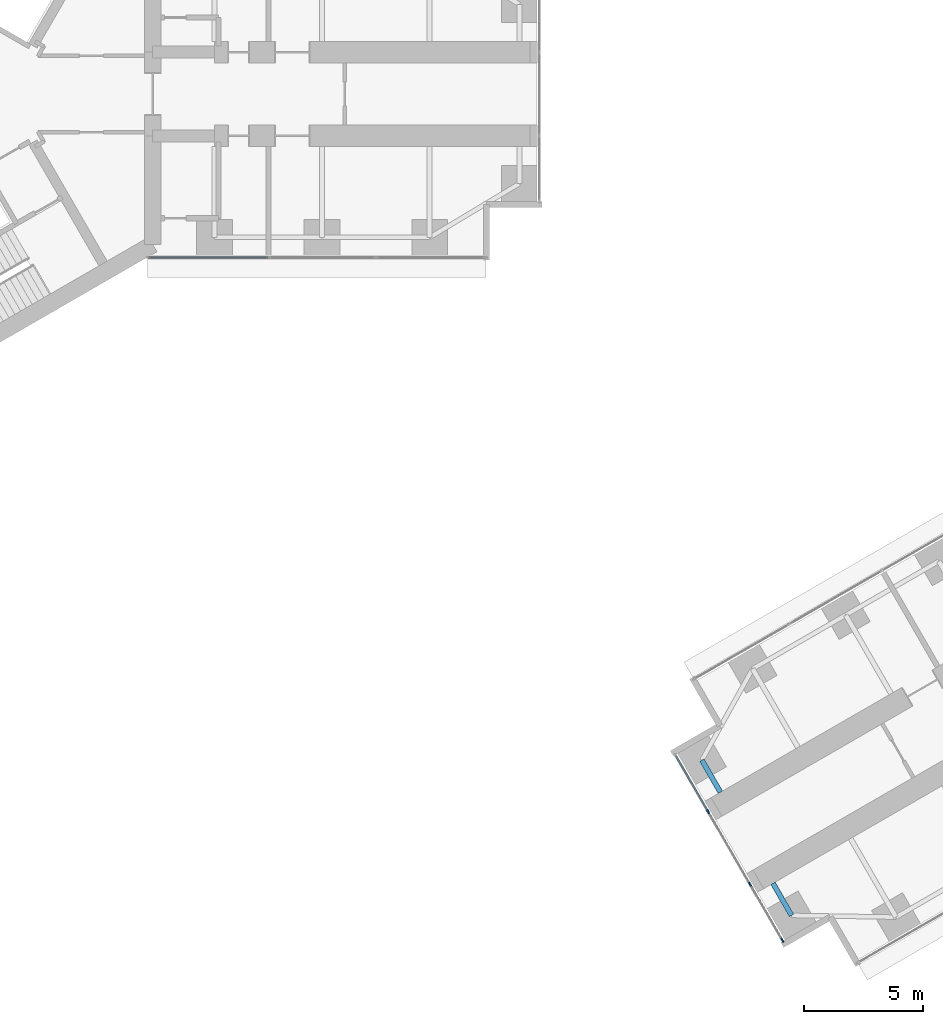
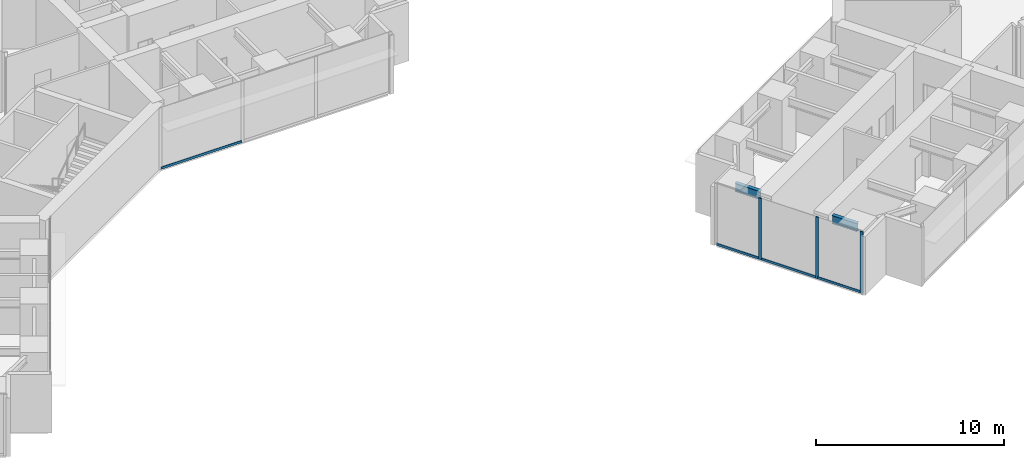
# One storey, part 3 of 23: 7 members, 2 beams, 2 elements without a shape of their own.
"""IFC4 building model written with IfcOpenShell, lengths in metres."""

from ifc_helpers import new_model, si_unit, direction, frame, origin, origin_2d, place, context, subcontext, project, spatial, rectangle, i_section, extrude, material, material_profile, profile_set, type_object, element, aggregate, save


model = new_model("IFC4")

# Units and contexts
model_context = context("Model", 3, precision=1e-05, world=origin(), true_north=direction((0.0, 1.0)))
body_context = subcontext(model_context, "Body", "Model", "MODEL_VIEW")
ifc_project = project(units=[si_unit("LENGTHUNIT", "METRE"), si_unit("AREAUNIT", "SQUARE_METRE"), si_unit("VOLUMEUNIT", "CUBIC_METRE"), si_unit("PLANEANGLEUNIT", "RADIAN"), si_unit("MASSUNIT", "GRAM", prefix="KILO")], contexts=[model_context])

# Site, building, storey
site_placement = place(None, origin())
site = spatial("IfcSite", under=ifc_project, at=site_placement, CompositionType="ELEMENT")
building_placement = place(site_placement, origin())
building = spatial("IfcBuilding", under=site, at=building_placement, Name="Upepo Twin Towers", CompositionType="ELEMENT")
storey_placement = place(building_placement, frame((0.0, 0.0, 28.5)))
storey = spatial("IfcBuildingStorey", under=building, at=storey_placement, Name="L06", CompositionType="ELEMENT", Elevation=28.5)

# Beams
ifc_material_1 = material(Name="Steel S355", Category="steel")
ifc_material_profile_1 = material_profile(ifc_material_1, i_section(OverallWidth=0.2099609375, OverallDepth=0.53662109375, WebThickness=0.0107421875, FlangeThickness=0.017333984375, FilletRadius=0.0126953125, at=origin_2d()), Name="UB 533x210x101")
ifc_profile_set_1 = profile_set([ifc_material_profile_1], Name="Steel S355")
beam_type = type_object("IfcBeamType", Name="Beam UB 533x210x101", PredefinedType="BEAM", material=ifc_profile_set_1)
for number, where, z_axis, x_axis, name in (
    (1, (37.641845703125, -34.37255859375, 3.53173828125), (-0.499967891604, 0.866043940782, 0.0), (-0.866043940782, -0.499967891604, 0.0), "T2 nose beam BL"),
    (2, (33.891845703125, -27.87744140625, 3.53173828125), (0.499967891604, -0.866043940782, 0.0), (0.866043940782, 0.499967891604, 0.0), "T2 nose beam BR"),
):
    element("IfcBeam", number, at=place(storey_placement, frame(where, z_axis=z_axis, x_axis=x_axis)), inside=storey, type_object=beam_type, Name=name, PredefinedType="BEAM", context=body_context, shape_type="SweptSolid", body=[
        extrude(i_section(OverallWidth=0.2099609375, OverallDepth=0.53662109375, WebThickness=0.0107421875, FlangeThickness=0.017333984375, FilletRadius=0.0126953125, at=origin_2d()), origin(), (0.0, 0.0, 1.0), 1.5498046875),
    ])

# Curtain wall, members
ifc_material_2 = material(Name="Aluminium and fritted glass", Category="aluminium")
curtain_wall_type = type_object("IfcCurtainWallType", Name="Tower curtain wall TW1, fritted glass", PredefinedType="NOTDEFINED", material=ifc_material_2)
curtain_wall_1_placement = place(storey_placement, origin())
curtain_wall_1 = element("IfcCurtainWall", 3, at=curtain_wall_1_placement, inside=storey, type_object=curtain_wall_type, Name="T2 L06 wing B nose curtain wall", PredefinedType="NOTDEFINED")
ifc_material_3 = material(Name="Aluminium mullion", Category="aluminium")
ifc_material_profile_2 = material_profile(ifc_material_3, rectangle(XDim=0.06494140625, YDim=0.179931640625, at=origin_2d()), Name="MULLION 65x180")
ifc_profile_set_2 = profile_set([ifc_material_profile_2], Name="Aluminium mullion")
member_type_1 = type_object("IfcMemberType", Name="Mullion 65x180 TW1", PredefinedType="MULLION", material=ifc_profile_set_2)
member_1_placement = place(storey_placement, frame((34.15576171875, -30.034423828125, 0.0), z_axis=(0.0, 0.0, 1.0), x_axis=(0.866025386174, 0.500000030502, 0.0)))
member_1 = element("IfcMember", 4, at=member_1_placement, type_object=member_type_1, Name="T2 L06 wing B nose curtain wall mullion 2", PredefinedType="MULLION", context=body_context, shape_type="SweptSolid", body=[
    extrude(rectangle(XDim=0.06494140625, YDim=0.179931640625, at=origin_2d()), origin(), (0.0, 0.0, 1.0), 4.0),
])
member_2_placement = place(storey_placement, frame((35.90576171875, -33.0654296875, 0.0), z_axis=(0.0, 0.0, 1.0), x_axis=(0.866025386174, 0.500000030502, 0.0)))
member_2 = element("IfcMember", 5, at=member_2_placement, type_object=member_type_1, Name="T2 L06 wing B nose curtain wall mullion 3", PredefinedType="MULLION", context=body_context, shape_type="SweptSolid", body=[
    extrude(rectangle(XDim=0.06494140625, YDim=0.179931640625, at=origin_2d()), origin(), (0.0, 0.0, 1.0), 4.0),
])
member_3_placement = place(storey_placement, frame((37.264404296875, -35.4189453125, 0.0), z_axis=(0.0, 0.0, 1.0), x_axis=(0.866025386174, 0.500000030502, 0.0)))
member_3 = element("IfcMember", 6, at=member_3_placement, type_object=member_type_1, Name="T2 L06 wing B nose curtain wall mullion 4", PredefinedType="MULLION", context=body_context, shape_type="SweptSolid", body=[
    extrude(rectangle(XDim=0.06494140625, YDim=0.179931640625, at=origin_2d()), origin(), (0.0, 0.0, 1.0), 4.0),
])

# Curtain wall, member
curtain_wall_2_placement = place(storey_placement, origin())
curtain_wall_2 = element("IfcCurtainWall", 7, at=curtain_wall_2_placement, inside=storey, type_object=curtain_wall_type, Name="T1 L06 wing A flank R curtain wall", PredefinedType="NOTDEFINED")
ifc_material_4 = material(Name="Aluminium transom", Category="aluminium")
ifc_material_profile_3 = material_profile(ifc_material_4, rectangle(XDim=0.06494140625, YDim=0.14990234375, at=origin_2d()), Name="TRANSOM 65x150")
ifc_profile_set_3 = profile_set([ifc_material_profile_3], Name="Aluminium transom")
member_type_2 = type_object("IfcMemberType", Name="Transom 65x150 TW1", PredefinedType="USERDEFINED", material=ifc_profile_set_3)
member_4_placement = place(storey_placement, frame((15.717529296875, -6.85009765625, 0.074951171875), z_axis=(-1.0, 0.0, 0.0), x_axis=(0.0, -1.0, 0.0)))
member_4 = element("IfcMember", 8, at=member_4_placement, type_object=member_type_2, Name="T1 L06 wing A flank R curtain wall transom 3", ObjectType="TRANSOM", PredefinedType="USERDEFINED", context=body_context, shape_type="SweptSolid", body=[
    extrude(rectangle(XDim=0.06494140625, YDim=0.14990234375, at=origin_2d()), origin(), (0.0, 0.0, 1.0), 4.96533203125),
])
aggregate(curtain_wall_2, [member_4])

# Member
member_5_placement = place(storey_placement, frame((32.813232421875, -27.709228515625, 0.074951171875), z_axis=(0.499980071345, -0.866036909293, 0.0), x_axis=(0.866036909293, 0.499980071345, 0.0)))
member_5 = element("IfcMember", 9, at=member_5_placement, type_object=member_type_2, Name="T2 L06 wing B nose curtain wall transom 1", ObjectType="TRANSOM", PredefinedType="USERDEFINED", context=body_context, shape_type="SweptSolid", body=[
    extrude(rectangle(XDim=0.06494140625, YDim=0.14990234375, at=origin_2d()), origin(), (0.0, 0.0, 1.0), 2.65234375),
])

member_6_placement = place(storey_placement, frame((34.171875, -30.0625, 0.074951171875), z_axis=(0.499999305434, -0.866025804792, 0.0), x_axis=(0.866025804792, 0.499999305434, 0.0)))
member_6 = element("IfcMember", 10, at=member_6_placement, type_object=member_type_2, Name="T2 L06 wing B nose curtain wall transom 2", ObjectType="TRANSOM", PredefinedType="USERDEFINED", context=body_context, shape_type="SweptSolid", body=[
    extrude(rectangle(XDim=0.06494140625, YDim=0.14990234375, at=origin_2d()), origin(), (0.0, 0.0, 1.0), 3.43505859375),
])

member_7_placement = place(storey_placement, frame((35.921875, -33.09375, 0.074951171875), z_axis=(0.500049101008, -0.865997053448, 0.0), x_axis=(0.865997053448, 0.500049101008, 0.0)))
member_7 = element("IfcMember", 11, at=member_7_placement, type_object=member_type_2, Name="T2 L06 wing B nose curtain wall transom 3", ObjectType="TRANSOM", PredefinedType="USERDEFINED", context=body_context, shape_type="SweptSolid", body=[
    extrude(rectangle(XDim=0.06494140625, YDim=0.14990234375, at=origin_2d()), origin(), (0.0, 0.0, 1.0), 2.652587890625),
])

aggregate(curtain_wall_1, [member_1, member_2, member_3, member_5, member_6, member_7])

save(model, "model.ifc")
